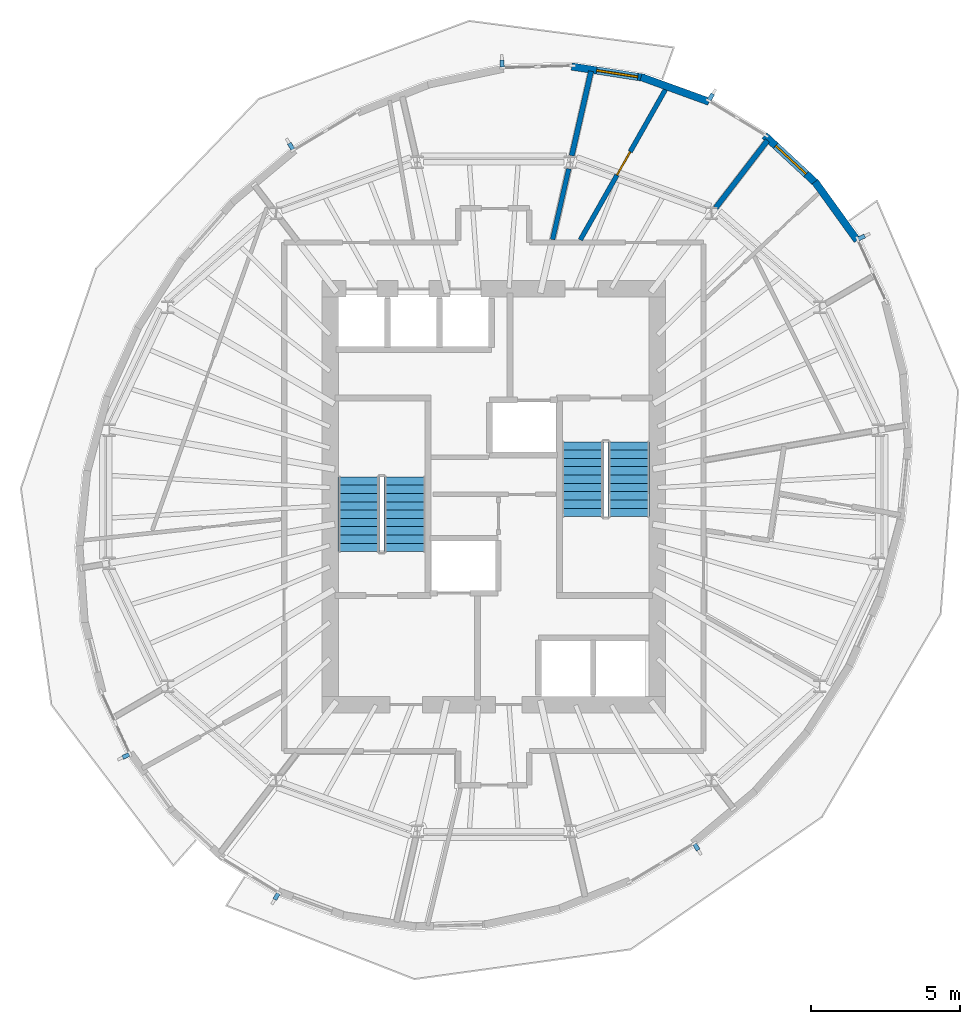
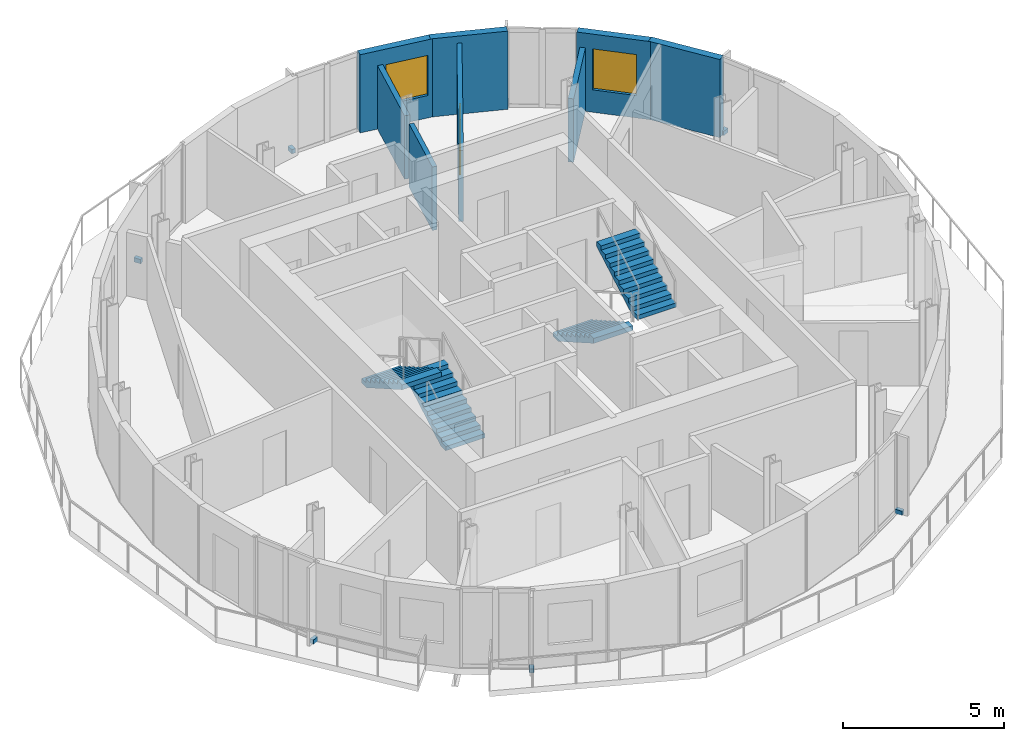
# One storey, part 7 of 11: 8 walls, 7 discrete accessories, 4 stair flights, 2 windows, 1 door, 3 openings, 2 elements without a shape of their own.
"""IFC4 building model written with IfcOpenShell, lengths in metres."""

from ifc_helpers import new_model, si_unit, direction, frame, frame_2d, origin, origin_2d, place, context, subcontext, project, spatial, polyline, rectangle, outline, extrude, material, layer, layer_set, type_object, element, fill, aggregate, save


model = new_model("IFC4")

# Units and contexts
model_context = context("Model", 3, precision=1e-05, world=origin(), true_north=direction((0.0, 1.0)))
body_context = subcontext(model_context, "Body", "Model", "MODEL_VIEW")
ifc_project = project(units=[si_unit("LENGTHUNIT", "METRE"), si_unit("AREAUNIT", "SQUARE_METRE"), si_unit("VOLUMEUNIT", "CUBIC_METRE"), si_unit("PLANEANGLEUNIT", "RADIAN"), si_unit("MASSUNIT", "GRAM", prefix="KILO")], contexts=[model_context])

# Site, building, storey
site_placement = place(None, origin())
site = spatial("IfcSite", under=ifc_project, at=site_placement, CompositionType="ELEMENT")
building_placement = place(site_placement, origin())
building = spatial("IfcBuilding", under=site, at=building_placement, Name="Veldorim Arch Residences", CompositionType="ELEMENT")
storey_placement = place(building_placement, frame((0.0, 0.0, 214.239990234375)))
storey = spatial("IfcBuildingStorey", under=building, at=storey_placement, Name="L64", CompositionType="ELEMENT", Elevation=214.239990234375)

# Walls
ifc_material_1 = material(Name="Lightweight Masonry Block & Gypsum", Category="masonry")
ifc_layer_1 = layer(ifc_material_1, 0.179931640625, Name="Compartment & Corridor Fire-Rated Party Wall 180")
ifc_layer_set_1 = layer_set([ifc_layer_1], Name="Lightweight Masonry Block & Gypsum")
wall_type_1 = type_object("IfcWallType", Name="Compartment & Corridor Fire-Rated Party Wall 180", PredefinedType="PARTITIONING", material=ifc_layer_set_1)
wall_1_placement = place(storey_placement, frame((39.473388671875, 33.727294921875, 0.0), z_axis=(0.0, 0.0, 1.0), x_axis=(0.609244614772, 0.792982344931, 0.0)))
element("IfcWall", 1, at=wall_1_placement, inside=storey, type_object=wall_type_1, Name="L64 interior wall WL-PIER-L64-03", PredefinedType="PARTITIONING", context=body_context, shape_type="SweptSolid", body=[
    extrude(rectangle(XDim=2.86083984375, YDim=0.179931640625, at=frame_2d((1.430419921875, 0.0))), origin(), (0.0, 0.0, 1.0), 2.4033203125),
])
wall_2_placement = place(storey_placement, frame((34.62646484375, 35.483154296875, 0.0), z_axis=(0.0, 0.0, 1.0), x_axis=(0.222945280676, 0.974830960641, 0.0)))
element("IfcWall", 2, at=wall_2_placement, inside=storey, type_object=wall_type_1, Name="L64 interior wall WL-PIER-L64-04", PredefinedType="PARTITIONING", context=body_context, shape_type="SweptSolid", body=[
    extrude(rectangle(XDim=2.916259765625, YDim=0.179931640625, at=frame_2d((1.4580078125, 0.0))), origin(), (0.0, 0.0, 1.0), 2.4033203125),
])
ifc_material_2 = material(Name="Precast concrete C40/50", Category="concrete")
ifc_layer_2 = layer(ifc_material_2, 0.25, Name="Tower Terracotta Spandrel & Pier Wall 250")
ifc_layer_set_2 = layer_set([ifc_layer_2], Name="Precast concrete C40/50")
wall_type_2 = type_object("IfcWallType", Name="Tower Terracotta Spandrel & Pier Wall 250", PredefinedType="SOLIDWALL", material=ifc_layer_set_2)
wall_3_placement = place(storey_placement, frame((36.960205078125, 38.1298828125, 0.0), z_axis=(0.0, 0.0, 1.0), x_axis=(0.939954186413, -0.341300640851, 0.0)))
element("IfcWall", 3, at=wall_3_placement, inside=storey, type_object=wall_type_2, Name="L64 terracotta facade wall 02", PredefinedType="SOLIDWALL", context=body_context, shape_type="SweptSolid", body=[
    extrude(rectangle(XDim=2.43701171875, YDim=0.25, at=frame_2d((1.218505859375, 0.0))), origin(), (0.0, 0.0, 1.0), 2.9599609375),
])

# Wall, opening, window
wall_4_placement = place(storey_placement, frame((34.622314453125, 38.483642578125, 0.0), z_axis=(0.0, 0.0, 1.0), x_axis=(0.988040195026, -0.154196540209, 0.0)))
wall_4 = element("IfcWall", 4, at=wall_4_placement, inside=storey, type_object=wall_type_2, Name="L64 terracotta facade wall 03", PredefinedType="SOLIDWALL", context=body_context, shape_type="SweptSolid", body=[
    extrude(rectangle(XDim=2.477783203125, YDim=0.25, at=frame_2d((1.23876953125, 0.0))), origin(), (0.0, 0.0, 1.0), 2.9599609375),
])
opening_1_placement = place(wall_4_placement, frame((0.85107421875, 0.0, 0.85009765625)))
opening_1 = element("IfcOpeningElement", 5, at=opening_1_placement, cuts=wall_4, Name="Opening WN-02", PredefinedType="OPENING", context=body_context, shape_type="SweptSolid", body=[
    extrude(rectangle(XDim=1.39990234375, YDim=1.52001953125, at=frame_2d((0.699951171875, 0.760009765625))), frame((0.0, 0.135009765625, 0.0), z_axis=(0.0, -1.0, 0.0), x_axis=(1.0, 0.0, 0.0)), (0.0, 0.0, 1.0), 0.27001953125),
])
ifc_material_3 = material(Name="Laminated Low-E Glass", Category="glass")
window_type = type_object("IfcWindowType", Name="Residential Casement Window 1400x1550", PartitioningType="SINGLE_PANEL", PredefinedType="WINDOW", material=ifc_material_3)
window_1_placement = place(opening_1_placement, origin())
window_1 = element("IfcWindow", 6, at=window_1_placement, inside=storey, type_object=window_type, Name="L64 solar-control facade window 03", OverallHeight=1.52001953125, OverallWidth=1.39990234375, PartitioningType="SINGLE_PANEL", PredefinedType="WINDOW", context=body_context, shape_type="SweptSolid", body=[
    extrude(rectangle(XDim=1.39990234375, YDim=1.52001953125, at=frame_2d((0.699951171875, 0.760009765625))), frame((0.0, 0.030029296875, 0.0), z_axis=(0.0, -1.0, 0.0), x_axis=(1.0, 0.0, 0.0)), (0.0, 0.0, 1.0), 0.06005859375),
])
fill(opening_1, window_1)

# Wall
wall_5_placement = place(storey_placement, frame((42.814208984375, 34.60546875, 0.0), z_axis=(0.0, 0.0, 1.0), x_axis=(0.584824573101, -0.811159798497, 0.0)))
element("IfcWall", 7, at=wall_5_placement, inside=storey, type_object=wall_type_2, Name="L64 terracotta facade wall 35", PredefinedType="SOLIDWALL", context=body_context, shape_type="SweptSolid", body=[
    extrude(rectangle(XDim=2.436767578125, YDim=0.25, at=frame_2d((1.21826171875, 0.0))), origin(), (0.0, 0.0, 1.0), 2.9599609375),
])

# Wall, opening, window
wall_6_placement = place(storey_placement, frame((41.118896484375, 36.1611328125, 0.0), z_axis=(0.0, 0.0, 1.0), x_axis=(0.733441361842, -0.679752726173, 0.0)))
wall_6 = element("IfcWall", 8, at=wall_6_placement, inside=storey, type_object=wall_type_2, Name="L64 terracotta facade wall 36", PredefinedType="SOLIDWALL", context=body_context, shape_type="SweptSolid", body=[
    extrude(rectangle(XDim=2.41455078125, YDim=0.25, at=frame_2d((1.207275390625, 0.0))), origin(), (0.0, 0.0, 1.0), 2.9599609375),
])
opening_2_placement = place(wall_6_placement, frame((0.507080078125, 0.0, 0.85009765625)))
opening_2 = element("IfcOpeningElement", 9, at=opening_2_placement, cuts=wall_6, Name="Opening WN-02", PredefinedType="OPENING", context=body_context, shape_type="SweptSolid", body=[
    extrude(rectangle(XDim=1.39990234375, YDim=1.550048828125, at=frame_2d((0.699951171875, 0.77490234375))), frame((0.0, 0.135009765625, 0.0), z_axis=(0.0, -1.0, 0.0), x_axis=(1.0, 0.0, 0.0)), (0.0, 0.0, 1.0), 0.27001953125),
])
window_2_placement = place(opening_2_placement, origin())
window_2 = element("IfcWindow", 10, at=window_2_placement, inside=storey, type_object=window_type, Name="L64 solar-control facade window 36", OverallHeight=1.550048828125, OverallWidth=1.39990234375, PartitioningType="SINGLE_PANEL", PredefinedType="WINDOW", context=body_context, shape_type="SweptSolid", body=[
    extrude(rectangle(XDim=1.39990234375, YDim=1.550048828125, at=frame_2d((0.699951171875, 0.77490234375))), frame((0.0, 0.030029296875, 0.0), z_axis=(0.0, -1.0, 0.0), x_axis=(1.0, 0.0, 0.0)), (0.0, 0.0, 1.0), 0.06005859375),
])
fill(opening_2, window_2)

# Wall, opening, door
ifc_material_4 = material(Name="Moisture-Resistant Gypsum & Stud", Category="gypsum")
ifc_layer_3 = layer(ifc_material_4, 0.159912109375, Name="Wet-Area Moisture-Resistant Plumbing Wall 160")
ifc_layer_set_3 = layer_set([ifc_layer_3], Name="Moisture-Resistant Gypsum & Stud")
wall_type_3 = type_object("IfcWallType", Name="Wet-Area Moisture-Resistant Plumbing Wall 160", PredefinedType="PLUMBINGWALL", material=ifc_layer_set_3)
wall_7_placement = place(storey_placement, frame((34.91357421875, 32.64697265625, 0.0), z_axis=(0.0, 0.0, 1.0), x_axis=(0.492777372346, 0.870155423648, 0.0)))
wall_7 = element("IfcWall", 11, at=wall_7_placement, inside=storey, type_object=wall_type_3, Name="L64 interior wall WL-RES-L64-022", PredefinedType="PLUMBINGWALL", context=body_context, shape_type="SweptSolid", body=[
    extrude(rectangle(XDim=5.91943359375, YDim=0.159912109375, at=frame_2d((2.959716796875, 0.0))), origin(), (0.0, 0.0, 1.0), 2.69189453125),
])
opening_3_placement = place(wall_7_placement, frame((2.509765625, 0.0, 0.0)))
opening_3 = element("IfcOpeningElement", 12, at=opening_3_placement, cuts=wall_7, Name="Opening DR-WC", PredefinedType="OPENING", context=body_context, shape_type="SweptSolid", body=[
    extrude(rectangle(XDim=0.89990234375, YDim=2.10009765625, at=frame_2d((0.449951171875, 1.050048828125))), frame((0.0, 0.08984375, 0.0), z_axis=(0.0, -1.0, 0.0), x_axis=(1.0, 0.0, 0.0)), (0.0, 0.0, 1.0), 0.179931640625),
])
ifc_material_5 = material(Name="Laminate Timber", Category="wood")
door_type = type_object("IfcDoorType", Name="Bathroom & Accessible WC Moisture-Sealed Door 900x2100", OperationType="SINGLE_SWING_LEFT", PredefinedType="DOOR", material=ifc_material_5)
door_placement = place(opening_3_placement, origin())
door = element("IfcDoor", 13, at=door_placement, inside=storey, type_object=door_type, Name="L64 interior door DR-RES-L64-008", OperationType="SINGLE_SWING_RIGHT", OverallHeight=2.10009765625, OverallWidth=0.89990234375, PredefinedType="DOOR", context=body_context, shape_type="SweptSolid", body=[
    extrude(rectangle(XDim=0.89990234375, YDim=2.10009765625, at=frame_2d((0.449951171875, 1.050048828125))), frame((0.0, 0.02490234375, 0.0), z_axis=(0.0, -1.0, 0.0), x_axis=(1.0, 0.0, 0.0)), (0.0, 0.0, 1.0), 0.050048828125),
])
fill(opening_3, door)

# Wall
wall_8_placement = place(storey_placement, frame((33.97998046875, 32.657470703125, 0.0), z_axis=(0.0, 0.0, 1.0), x_axis=(0.223006482474, 0.974816961678, 0.0)))
element("IfcWall", 14, at=wall_8_placement, inside=storey, type_object=wall_type_3, Name="L64 interior wall WL-RES-L64-024", PredefinedType="PLUMBINGWALL", context=body_context, shape_type="SweptSolid", body=[
    extrude(rectangle(XDim=2.444580078125, YDim=0.159912109375, at=frame_2d((1.22216796875, 0.0))), origin(), (0.0, 0.0, 1.0), 2.4033203125),
])

# Stair, stair flights
ifc_material_6 = material(Name="Concrete C40/50", Category="concrete")
stair_type = type_object("IfcStairType", Name="Reinforced Concrete Dogleg Exit Staircase", PredefinedType="HALF_TURN_STAIR", material=ifc_material_6)
stair_1_placement = place(storey_placement, origin())
stair_1 = element("IfcStair", 15, at=stair_1_placement, inside=storey, type_object=stair_type, Name="L64 Exit Staircase ST-1", PredefinedType="HALF_TURN_STAIR")
ifc_material_7 = material(Name="Concrete C40/50", Category="concrete")
stair_flight_type = type_object("IfcStairFlightType", Name="Reinforced Concrete Stair Flight 1400", PredefinedType="STRAIGHT", material=ifc_material_7)
stair_flight_1_placement = place(storey_placement, frame((29.010009765625, 22.14990234375, 0.0), z_axis=(0.0, 0.0, 1.0), x_axis=(0.0, 1.0, 0.0)))
stair_flight_1 = element("IfcStairFlight", 16, at=stair_flight_1_placement, type_object=stair_flight_type, Name="ST-1 flight 1", NumberOfRisers=10, NumberOfTreads=9, PredefinedType="STRAIGHT", RiserHeight=0.16, TreadLength=0.28, context=body_context, shape_type="SweptSolid", body=[
    extrude(outline(polyline([(0.0, 0.0), (0.0, 0.159912109375), (0.280029296875, 0.159912109375), (0.280029296875, 0.320068359375), (0.56005859375, 0.320068359375), (0.56005859375, 0.47998046875), (0.840087890625, 0.47998046875), (0.840087890625, 0.639892578125), (1.1201171875, 0.639892578125), (1.1201171875, 0.800048828125), (1.39990234375, 0.800048828125), (1.39990234375, 0.9599609375), (1.679931640625, 0.9599609375), (1.679931640625, 1.1201171875), (1.9599609375, 1.1201171875), (1.9599609375, 1.280029296875), (2.239990234375, 1.280029296875), (2.239990234375, 1.43994140625), (2.52001953125, 1.43994140625), (2.52001953125, 1.60009765625), (2.52001953125, 1.255859375), (0.322265625, 0.0), (0.0, 0.0)])), frame((0.0, 0.699951171875, 0.0), z_axis=(0.0, -1.0, 0.0), x_axis=(1.0, 0.0, 0.0)), (0.0, 0.0, 1.0), 1.39990234375),
])
stair_flight_2_placement = place(storey_placement, frame((27.449951171875, 24.669921875, 1.60009765625), z_axis=(0.0, 0.0, 1.0), x_axis=(0.0, -1.0, 0.0)))
stair_flight_2 = element("IfcStairFlight", 17, at=stair_flight_2_placement, type_object=stair_flight_type, Name="ST-1 flight 2", NumberOfRisers=10, NumberOfTreads=9, PredefinedType="STRAIGHT", RiserHeight=0.16, TreadLength=0.28, context=body_context, shape_type="SweptSolid", body=[
    extrude(outline(polyline([(0.0, 0.0), (0.0, 0.159912109375), (0.280029296875, 0.159912109375), (0.280029296875, 0.320068359375), (0.56005859375, 0.320068359375), (0.56005859375, 0.47998046875), (0.840087890625, 0.47998046875), (0.840087890625, 0.639892578125), (1.1201171875, 0.639892578125), (1.1201171875, 0.800048828125), (1.39990234375, 0.800048828125), (1.39990234375, 0.9599609375), (1.679931640625, 0.9599609375), (1.679931640625, 1.1201171875), (1.9599609375, 1.1201171875), (1.9599609375, 1.280029296875), (2.239990234375, 1.280029296875), (2.239990234375, 1.43994140625), (2.52001953125, 1.43994140625), (2.52001953125, 1.60009765625), (2.52001953125, 1.255859375), (0.322265625, 0.0), (0.0, 0.0)])), frame((0.0, 0.699951171875, 0.0), z_axis=(0.0, -1.0, 0.0), x_axis=(1.0, 0.0, 0.0)), (0.0, 0.0, 1.0), 1.39990234375),
])
aggregate(stair_1, [stair_flight_1, stair_flight_2])

stair_2_placement = place(storey_placement, origin())
stair_2 = element("IfcStair", 18, at=stair_2_placement, inside=storey, type_object=stair_type, Name="L64 Exit Staircase ST-2", PredefinedType="HALF_TURN_STAIR")
stair_flight_3_placement = place(storey_placement, frame((34.989990234375, 25.85009765625, 0.0), z_axis=(0.0, 0.0, 1.0), x_axis=(0.0, -1.0, 0.0)))
stair_flight_3 = element("IfcStairFlight", 19, at=stair_flight_3_placement, type_object=stair_flight_type, Name="ST-2 flight 1", NumberOfRisers=10, NumberOfTreads=9, PredefinedType="STRAIGHT", RiserHeight=0.16, TreadLength=0.28, context=body_context, shape_type="SweptSolid", body=[
    extrude(outline(polyline([(0.0, 0.0), (0.0, 0.159912109375), (0.280029296875, 0.159912109375), (0.280029296875, 0.320068359375), (0.56005859375, 0.320068359375), (0.56005859375, 0.47998046875), (0.840087890625, 0.47998046875), (0.840087890625, 0.639892578125), (1.1201171875, 0.639892578125), (1.1201171875, 0.800048828125), (1.39990234375, 0.800048828125), (1.39990234375, 0.9599609375), (1.679931640625, 0.9599609375), (1.679931640625, 1.1201171875), (1.9599609375, 1.1201171875), (1.9599609375, 1.280029296875), (2.239990234375, 1.280029296875), (2.239990234375, 1.43994140625), (2.52001953125, 1.43994140625), (2.52001953125, 1.60009765625), (2.52001953125, 1.255859375), (0.322265625, 0.0), (0.0, 0.0)])), frame((0.0, 0.699951171875, 0.0), z_axis=(0.0, -1.0, 0.0), x_axis=(1.0, 0.0, 0.0)), (0.0, 0.0, 1.0), 1.39990234375),
])
stair_flight_4_placement = place(storey_placement, frame((36.550048828125, 23.330078125, 1.60009765625), z_axis=(0.0, 0.0, 1.0), x_axis=(0.0, 1.0, 0.0)))
stair_flight_4 = element("IfcStairFlight", 20, at=stair_flight_4_placement, type_object=stair_flight_type, Name="ST-2 flight 2", NumberOfRisers=10, NumberOfTreads=9, PredefinedType="STRAIGHT", RiserHeight=0.16, TreadLength=0.28, context=body_context, shape_type="SweptSolid", body=[
    extrude(outline(polyline([(0.0, 0.0), (0.0, 0.159912109375), (0.280029296875, 0.159912109375), (0.280029296875, 0.320068359375), (0.56005859375, 0.320068359375), (0.56005859375, 0.47998046875), (0.840087890625, 0.47998046875), (0.840087890625, 0.639892578125), (1.1201171875, 0.639892578125), (1.1201171875, 0.800048828125), (1.39990234375, 0.800048828125), (1.39990234375, 0.9599609375), (1.679931640625, 0.9599609375), (1.679931640625, 1.1201171875), (1.9599609375, 1.1201171875), (1.9599609375, 1.280029296875), (2.239990234375, 1.280029296875), (2.239990234375, 1.43994140625), (2.52001953125, 1.43994140625), (2.52001953125, 1.60009765625), (2.52001953125, 1.255859375), (0.322265625, 0.0), (0.0, 0.0)])), frame((0.0, 0.699951171875, 0.0), z_axis=(0.0, -1.0, 0.0), x_axis=(1.0, 0.0, 0.0)), (0.0, 0.0, 1.0), 1.39990234375),
])
aggregate(stair_2, [stair_flight_3, stair_flight_4])

# Discrete accessories
ifc_material_8 = material(Name="Stainless Steel", Category="steel")
discrete_accessory_type = type_object("IfcDiscreteAccessoryType", Name="Stainless Steel Facade Fin Anchor Bracket", PredefinedType="BRACKET", material=ifc_material_8)
for number, where, z_axis, x_axis, name in (
    (21, (39.313232421875, 37.460693359375, -0.02001953125), (0.0, 0.0, 1.0), (0.854186693447, -0.519966434242, 0.0), "L64 stainless fin anchor bracket 01"),
    (22, (32.281005859375, 38.58349609375, -0.02001953125), (0.0, 0.0, 1.0), (0.99952286999, 0.030887414385, 0.0), "L64 stainless fin anchor bracket 04"),
    (23, (25.17626953125, 35.79541015625, -0.02001953125), (0.0, 0.0, 1.0), (0.858512728225, 0.512792253721, 0.0), "L64 stainless fin anchor bracket 07"),
    (24, (19.617919921875, 15.271484375, -0.02001953125), (0.0, 0.0, 1.0), (-0.418025632026, 0.908435232127, 0.0), "L64 stainless fin anchor bracket 16"),
    (25, (24.686767578125, 10.539306640625, -0.02001953125), (0.0, 0.0, 1.0), (-0.854186693447, 0.519966434242, 0.0), "L64 stainless fin anchor bracket 19"),
    (26, (38.82373046875, 12.20458984375, -0.02001953125), (0.0, 0.0, 1.0), (-0.858512728225, -0.512792253721, 0.0), "L64 stainless fin anchor bracket 25"),
    (27, (44.382080078125, 32.728515625, -0.02001953125), (0.0, 0.0, 1.0), (0.418025632026, -0.908435232127, 0.0), "L64 stainless fin anchor bracket 34"),
):
    element("IfcDiscreteAccessory", number, at=place(storey_placement, frame(where, z_axis=z_axis, x_axis=x_axis)), inside=storey, type_object=discrete_accessory_type, Name=name, PredefinedType="BRACKET", context=body_context, shape_type="SweptSolid", body=[
        extrude(rectangle(XDim=0.139892578125, YDim=0.239990234375, at=origin_2d()), origin(), (0.0, 0.0, 1.0), 0.159912109375),
    ])

save(model, "model.ifc")
